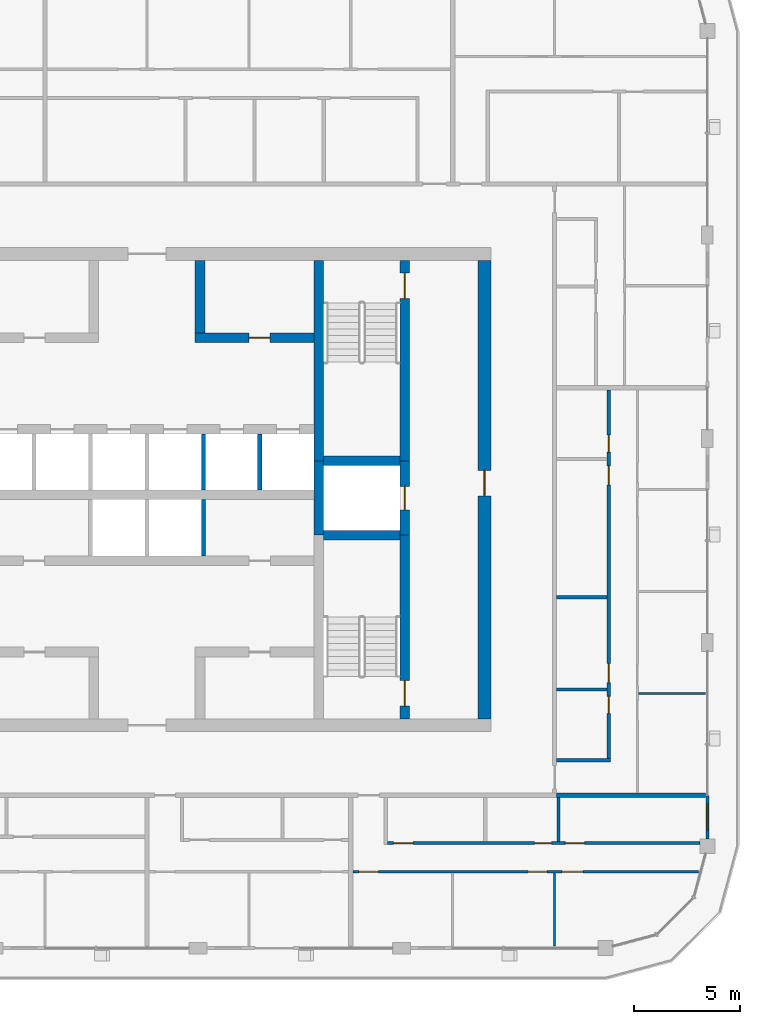
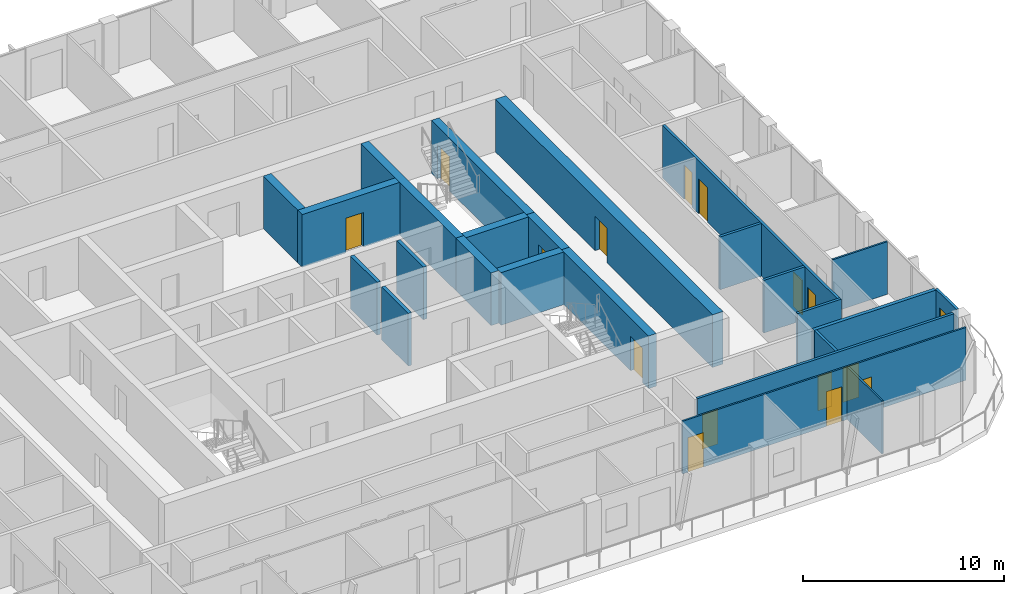
# One storey, part 12 of 21: 24 walls, 15 doors, 1 window, 16 openings.
"""IFC4 building model written with IfcOpenShell, lengths in metres."""

from ifc_helpers import new_model, si_unit, direction, frame, frame_2d, origin, place, context, subcontext, project, spatial, rectangle, extrude, material, layer, layer_set, type_object, element, fill, save


model = new_model("IFC4")

# Units and contexts
model_context = context("Model", 3, precision=1e-05, world=origin(), true_north=direction((0.0, 1.0)))
body_context = subcontext(model_context, "Body", "Model", "MODEL_VIEW")
ifc_project = project(units=[si_unit("LENGTHUNIT", "METRE"), si_unit("AREAUNIT", "SQUARE_METRE"), si_unit("VOLUMEUNIT", "CUBIC_METRE"), si_unit("PLANEANGLEUNIT", "RADIAN"), si_unit("MASSUNIT", "GRAM", prefix="KILO")], contexts=[model_context])

# Site, building, storey
site_placement = place(None, origin())
site = spatial("IfcSite", under=ifc_project, at=site_placement, CompositionType="ELEMENT")
building_placement = place(site_placement, origin())
building = spatial("IfcBuilding", under=site, at=building_placement, Name="Madar Terraces", CompositionType="ELEMENT")
storey_placement = place(building_placement, frame((0.0, 0.0, 242.199951171875)))
storey = spatial("IfcBuildingStorey", under=building, at=storey_placement, Name="L63", CompositionType="ELEMENT", Elevation=242.199951171875)

# Walls
ifc_material_1 = material(Name="Concrete C55/67", Category="concrete")
ifc_layer_1 = layer(ifc_material_1, 0.449951171875)
ifc_layer_set_1 = layer_set([ifc_layer_1], Name="Concrete C55/67 (CIW5 RC wall 450)")
wall_type_1 = type_object("IfcWallType", Name="CIW5 RC wall 450", PredefinedType="SHEAR", material=ifc_layer_set_1)
wall_1_placement = place(storey_placement, frame((39.300048828125, 24.25, 0.0), z_axis=(0.0, 0.0, 1.0), x_axis=(0.0, 1.0, 0.0)))
element("IfcWall", 1, at=wall_1_placement, inside=storey, type_object=wall_type_1, Name="CORE SHAFT WALL", PredefinedType="SHEAR", context=body_context, shape_type="SweptSolid", body=[
    extrude(rectangle(XDim=3.5, YDim=0.449951171875, at=frame_2d((1.75, 0.0))), origin(), (0.0, 0.0, 1.0), 3.199951171875),
])
wall_2_placement = place(storey_placement, frame((39.300048828125, 27.75, 0.0), z_axis=(0.0, 0.0, 1.0), x_axis=(0.0, 1.0, 0.0)))
element("IfcWall", 2, at=wall_2_placement, inside=storey, type_object=wall_type_1, Name="CORE SHAFT WALL", PredefinedType="SHEAR", context=body_context, shape_type="SweptSolid", body=[
    extrude(rectangle(XDim=9.449951171875, YDim=0.449951171875, at=frame_2d((4.72509765625, 0.0))), origin(), (0.0, 0.0, 1.0), 3.199951171875),
])

# Wall, opening, door
wall_3_placement = place(storey_placement, frame((43.35009765625, 15.60009765625, 0.0), z_axis=(0.0, 0.0, 1.0), x_axis=(0.0, 1.0, 0.0)))
wall_3 = element("IfcWall", 3, at=wall_3_placement, inside=storey, type_object=wall_type_1, Name="CORE SHAFT WALL", PredefinedType="SHEAR", context=body_context, shape_type="SweptSolid", body=[
    extrude(rectangle(XDim=8.64990234375, YDim=0.449951171875, at=frame_2d((4.324951171875, 0.0))), origin(), (0.0, 0.0, 1.0), 3.199951171875),
])
opening_1_placement = place(wall_3_placement, frame((0.60009765625, 0.0, 0.0)))
opening_1 = element("IfcOpeningElement", 4, at=opening_1_placement, cuts=wall_3, Name="Opening SD1", PredefinedType="OPENING", context=body_context, shape_type="SweptSolid", body=[
    extrude(rectangle(XDim=1.199951171875, YDim=2.10009765625, at=frame_2d((0.60009765625, 1.050048828125))), frame((0.0, 0.23486328125, 0.0), z_axis=(0.0, -1.0, 0.0), x_axis=(1.0, 0.0, 0.0)), (0.0, 0.0, 1.0), 0.469970703125),
])
ifc_material_2 = material(Name="Steel door leaf", Category="steel")
door_type_1 = type_object("IfcDoorType", Name="Stair door 1200 x 2100", OperationType="NOTDEFINED", PredefinedType="DOOR", material=ifc_material_2)
door_1_placement = place(opening_1_placement, origin())
door_1 = element("IfcDoor", 5, at=door_1_placement, inside=storey, type_object=door_type_1, Name="STAIR DOOR", OperationType="SINGLE_SWING_RIGHT", OverallHeight=2.10009765625, OverallWidth=1.199951171875, PredefinedType="DOOR", context=body_context, shape_type="SweptSolid", body=[
    extrude(rectangle(XDim=1.199951171875, YDim=2.10009765625, at=frame_2d((0.60009765625, 1.050048828125))), frame((0.0, 0.02490234375, 0.0), z_axis=(0.0, -1.0, 0.0), x_axis=(1.0, 0.0, 0.0)), (0.0, 0.0, 1.0), 0.050048828125),
])
fill(opening_1, door_1)

wall_4_placement = place(storey_placement, frame((43.35009765625, 24.25, 0.0), z_axis=(0.0, 0.0, 1.0), x_axis=(0.0, 1.0, 0.0)))
wall_4 = element("IfcWall", 6, at=wall_4_placement, inside=storey, type_object=wall_type_1, Name="CORE SHAFT WALL", PredefinedType="SHEAR", context=body_context, shape_type="SweptSolid", body=[
    extrude(rectangle(XDim=3.5, YDim=0.449951171875, at=frame_2d((1.75, 0.0))), origin(), (0.0, 0.0, 1.0), 3.199951171875),
])
opening_2_placement = place(wall_4_placement, frame((1.199951171875, 0.0, 0.0)))
opening_2 = element("IfcOpeningElement", 7, at=opening_2_placement, cuts=wall_4, Name="Opening LD", PredefinedType="OPENING", context=body_context, shape_type="SweptSolid", body=[
    extrude(rectangle(XDim=1.10009765625, YDim=2.10009765625, at=frame_2d((0.550048828125, 1.050048828125))), frame((0.0, 0.23486328125, 0.0), z_axis=(0.0, -1.0, 0.0), x_axis=(1.0, 0.0, 0.0)), (0.0, 0.0, 1.0), 0.469970703125),
])
ifc_material_3 = material(Name="Stainless steel panel", Category="steel")
door_type_2 = type_object("IfcDoorType", Name="Lift landing door 1100 x 2100", OperationType="DOUBLE_DOOR_SLIDING", PredefinedType="DOOR", material=ifc_material_3)
door_2_placement = place(opening_2_placement, origin())
door_2 = element("IfcDoor", 8, at=door_2_placement, inside=storey, type_object=door_type_2, Name="LIFT LANDING DOOR", OperationType="DOUBLE_DOOR_SLIDING", OverallHeight=2.10009765625, OverallWidth=1.10009765625, PredefinedType="DOOR", context=body_context, shape_type="SweptSolid", body=[
    extrude(rectangle(XDim=1.10009765625, YDim=2.10009765625, at=frame_2d((0.550048828125, 1.050048828125))), frame((0.0, 0.02490234375, 0.0), z_axis=(0.0, -1.0, 0.0), x_axis=(1.0, 0.0, 0.0)), (0.0, 0.0, 1.0), 0.050048828125),
])
fill(opening_2, door_2)

wall_5_placement = place(storey_placement, frame((43.35009765625, 27.75, 0.0), z_axis=(0.0, 0.0, 1.0), x_axis=(0.0, 1.0, 0.0)))
wall_5 = element("IfcWall", 9, at=wall_5_placement, inside=storey, type_object=wall_type_1, Name="CORE SHAFT WALL", PredefinedType="SHEAR", context=body_context, shape_type="SweptSolid", body=[
    extrude(rectangle(XDim=9.449951171875, YDim=0.449951171875, at=frame_2d((4.72509765625, 0.0))), origin(), (0.0, 0.0, 1.0), 3.199951171875),
])
opening_3_placement = place(wall_5_placement, frame((7.64990234375, 0.0, 0.0)))
opening_3 = element("IfcOpeningElement", 10, at=opening_3_placement, cuts=wall_5, Name="Opening SD1", PredefinedType="OPENING", context=body_context, shape_type="SweptSolid", body=[
    extrude(rectangle(XDim=1.199951171875, YDim=2.10009765625, at=frame_2d((0.60009765625, 1.050048828125))), frame((0.0, 0.23486328125, 0.0), z_axis=(0.0, -1.0, 0.0), x_axis=(1.0, 0.0, 0.0)), (0.0, 0.0, 1.0), 0.469970703125),
])
door_3_placement = place(opening_3_placement, origin())
door_3 = element("IfcDoor", 11, at=door_3_placement, inside=storey, type_object=door_type_1, Name="STAIR DOOR", OperationType="SINGLE_SWING_LEFT", OverallHeight=2.10009765625, OverallWidth=1.199951171875, PredefinedType="DOOR", context=body_context, shape_type="SweptSolid", body=[
    extrude(rectangle(XDim=1.199951171875, YDim=2.10009765625, at=frame_2d((0.60009765625, 1.050048828125))), frame((0.0, 0.02490234375, 0.0), z_axis=(0.0, -1.0, 0.0), x_axis=(1.0, 0.0, 0.0)), (0.0, 0.0, 1.0), 0.050048828125),
])
fill(opening_3, door_3)

# Walls
for number, where, z_axis, x_axis, name in (
    (12, (39.52490234375, 24.25, 0.0), (0.0, 0.0, 1.0), (1.0, 0.0, 0.0), "CORE SHAFT WALL"),
    (13, (39.52490234375, 27.75, 0.0), (0.0, 0.0, 1.0), (1.0, 0.0, 0.0), "CORE SHAFT WALL"),
):
    element("IfcWall", number, at=place(storey_placement, frame(where, z_axis=z_axis, x_axis=x_axis)), inside=storey, type_object=wall_type_1, Name=name, PredefinedType="SHEAR", context=body_context, shape_type="SweptSolid", body=[
        extrude(rectangle(XDim=3.60009765625, YDim=0.449951171875, at=frame_2d((1.800048828125, 0.0))), origin(), (0.0, 0.0, 1.0), 3.199951171875),
    ])

# Wall, opening, door
wall_6_placement = place(storey_placement, frame((33.47509765625, 33.550048828125, 0.0), z_axis=(0.0, 0.0, 1.0), x_axis=(1.0, 0.0, 0.0)))
wall_6 = element("IfcWall", 14, at=wall_6_placement, inside=storey, type_object=wall_type_1, Name="CORE SHAFT WALL", PredefinedType="SHEAR", context=body_context, shape_type="SweptSolid", body=[
    extrude(rectangle(XDim=5.599853515625, YDim=0.449951171875, at=frame_2d((2.7998046875, 0.0))), origin(), (0.0, 0.0, 1.0), 3.199951171875),
])
opening_4_placement = place(wall_6_placement, frame((2.52490234375, 0.0, 0.0)))
opening_4 = element("IfcOpeningElement", 15, at=opening_4_placement, cuts=wall_6, Name="Opening KD2", PredefinedType="OPENING", context=body_context, shape_type="SweptSolid", body=[
    extrude(rectangle(XDim=1.0, YDim=2.10009765625, at=frame_2d((0.5, 1.050048828125))), frame((0.0, 0.23486328125, 0.0), z_axis=(0.0, -1.0, 0.0), x_axis=(1.0, 0.0, 0.0)), (0.0, 0.0, 1.0), 0.469970703125),
])
ifc_material_4 = material(Name="Steel door leaf", Category="steel")
door_type_3 = type_object("IfcDoorType", Name="Service room door 1000 x 2100", OperationType="NOTDEFINED", PredefinedType="DOOR", material=ifc_material_4)
door_4_placement = place(opening_4_placement, frame((1.0, 0.0, 0.0), z_axis=(0.0, 0.0, 1.0), x_axis=(-1.0, 0.0, 0.0)))
door_4 = element("IfcDoor", 16, at=door_4_placement, inside=storey, type_object=door_type_3, Name="SERVICE ROOM DOOR", OperationType="SINGLE_SWING_LEFT", OverallHeight=2.10009765625, OverallWidth=1.0, PredefinedType="DOOR", context=body_context, shape_type="SweptSolid", body=[
    extrude(rectangle(XDim=1.0, YDim=2.10009765625, at=frame_2d((0.5, 1.050048828125))), frame((0.0, 0.02490234375, 0.0), z_axis=(0.0, -1.0, 0.0), x_axis=(1.0, 0.0, 0.0)), (0.0, 0.0, 1.0), 0.050048828125),
])
fill(opening_4, door_4)

# Wall
wall_7_placement = place(storey_placement, frame((33.699951171875, 33.77490234375, 0.0), z_axis=(0.0, 0.0, 1.0), x_axis=(0.0, 1.0, 0.0)))
element("IfcWall", 17, at=wall_7_placement, inside=storey, type_object=wall_type_1, Name="CORE SHAFT WALL", PredefinedType="SHEAR", context=body_context, shape_type="SweptSolid", body=[
    extrude(rectangle(XDim=3.425048828125, YDim=0.449951171875, at=frame_2d((1.71240234375, 0.0))), origin(), (0.0, 0.0, 1.0), 3.199951171875),
])

# Wall, opening, door
ifc_material_5 = material(Name="Concrete C55/67", Category="concrete")
ifc_layer_2 = layer(ifc_material_5, 0.60009765625)
ifc_layer_set_2 = layer_set([ifc_layer_2], Name="Concrete C55/67 (CRW5 RC wall 600)")
wall_type_2 = type_object("IfcWallType", Name="CRW5 RC wall 600", PredefinedType="SHEAR", material=ifc_layer_set_2)
wall_8_placement = place(storey_placement, frame((47.10009765625, 15.60009765625, 0.0), z_axis=(0.0, 0.0, 1.0), x_axis=(0.0, 1.0, 0.0)))
wall_8 = element("IfcWall", 18, at=wall_8_placement, inside=storey, type_object=wall_type_2, Name="CORE OUTER WALL", PredefinedType="SHEAR", context=body_context, shape_type="SweptSolid", body=[
    extrude(rectangle(XDim=21.599853515625, YDim=0.60009765625, at=frame_2d((10.7998046875, 0.0))), origin(), (0.0, 0.0, 1.0), 3.199951171875),
])
opening_5_placement = place(wall_8_placement, frame((10.5, 0.0, 0.0)))
opening_5 = element("IfcOpeningElement", 19, at=opening_5_placement, cuts=wall_8, Name="Opening SD1", PredefinedType="OPENING", context=body_context, shape_type="SweptSolid", body=[
    extrude(rectangle(XDim=1.199951171875, YDim=2.10009765625, at=frame_2d((0.60009765625, 1.050048828125))), frame((0.0, 0.31005859375, 0.0), z_axis=(0.0, -1.0, 0.0), x_axis=(1.0, 0.0, 0.0)), (0.0, 0.0, 1.0), 0.6201171875),
])
door_5_placement = place(opening_5_placement, origin())
door_5 = element("IfcDoor", 20, at=door_5_placement, inside=storey, type_object=door_type_1, Name="STAIR DOOR", OperationType="SINGLE_SWING_LEFT", OverallHeight=2.10009765625, OverallWidth=1.199951171875, PredefinedType="DOOR", context=body_context, shape_type="SweptSolid", body=[
    extrude(rectangle(XDim=1.199951171875, YDim=2.10009765625, at=frame_2d((0.60009765625, 1.050048828125))), frame((0.0, 0.02490234375, 0.0), z_axis=(0.0, -1.0, 0.0), x_axis=(1.0, 0.0, 0.0)), (0.0, 0.0, 1.0), 0.050048828125),
])
fill(opening_5, door_5)

# Walls
ifc_material_6 = material(Name="Concrete C40/50", Category="concrete")
ifc_layer_3 = layer(ifc_material_6, 0.199951171875)
ifc_layer_set_3 = layer_set([ifc_layer_3], Name="Core shaft dividing wall 200 C40/50")
wall_type_3 = type_object("IfcWallType", Name="Core shaft dividing wall 200 C40/50", PredefinedType="SOLIDWALL", material=ifc_layer_set_3)
wall_9_placement = place(storey_placement, frame((33.8583984375, 23.27490234375, 0.0), z_axis=(0.0, 0.0, 1.0), x_axis=(0.0, 1.0, 0.0)))
element("IfcWall", 21, at=wall_9_placement, inside=storey, type_object=wall_type_3, Name="SHAFT DIVIDING WALL", PredefinedType="SOLIDWALL", context=body_context, shape_type="SweptSolid", body=[
    extrude(rectangle(XDim=2.650146484375, YDim=0.199951171875, at=frame_2d((1.3251953125, 0.0))), origin(), (0.0, 0.0, 1.0), 3.199951171875),
])
for number, where, z_axis, x_axis, name in (
    (22, (33.8583984375, 26.375, 0.0), (0.0, 0.0, 1.0), (0.0, 1.0, 0.0), "SHAFT DIVIDING WALL"),
    (23, (36.5166015625, 26.375, 0.0), (0.0, 0.0, 1.0), (0.0, 1.0, 0.0), "SHAFT DIVIDING WALL"),
):
    element("IfcWall", number, at=place(storey_placement, frame(where, z_axis=z_axis, x_axis=x_axis)), inside=storey, type_object=wall_type_3, Name=name, PredefinedType="SOLIDWALL", context=body_context, shape_type="SweptSolid", body=[
        extrude(rectangle(XDim=2.64990234375, YDim=0.199951171875, at=frame_2d((1.324951171875, 0.0))), origin(), (0.0, 0.0, 1.0), 3.199951171875),
    ])

# Wall, opening, window
ifc_material_7 = material(Name="Aluminium composite panel, black, over insulated backing", Category="aluminium")
ifc_layer_4 = layer(ifc_material_7, 0.14990234375)
ifc_layer_set_4 = layer_set([ifc_layer_4], Name="Facade bay panel 150")
wall_type_4 = type_object("IfcWallType", Name="Facade bay panel 150", PredefinedType="SOLIDWALL", material=ifc_layer_set_4)
wall_10_placement = place(storey_placement, frame((57.60009765625, 9.949951171875, 0.0), z_axis=(0.0, 0.0, 1.0), x_axis=(0.0, 1.0, 0.0)))
wall_10 = element("IfcWall", 24, at=wall_10_placement, inside=storey, type_object=wall_type_4, Name="Facade bay panel", PredefinedType="SOLIDWALL", context=body_context, shape_type="SweptSolid", body=[
    extrude(rectangle(XDim=2.050048828125, YDim=0.14990234375, at=frame_2d((1.02490234375, 0.0))), origin(), (0.0, 0.0, 1.0), 3.199951171875),
])
opening_6_placement = place(wall_10_placement, frame((0.425048828125, 0.0, 0.89990234375)))
opening_6 = element("IfcOpeningElement", 25, at=opening_6_placement, cuts=wall_10, Name="Opening W1", PredefinedType="OPENING", context=body_context, shape_type="SweptSolid", body=[
    extrude(rectangle(XDim=1.199951171875, YDim=1.39990234375, at=frame_2d((0.60009765625, 0.699951171875))), frame((0.0, 0.0849609375, 0.0), z_axis=(0.0, -1.0, 0.0), x_axis=(1.0, 0.0, 0.0)), (0.0, 0.0, 1.0), 0.169921875),
])
ifc_material_8 = material(Name="Glass, clear, with black aluminium frame", Category="aluminium")
window_type = type_object("IfcWindowType", Name="Vent window 1200 x 1400", PartitioningType="SINGLE_PANEL", PredefinedType="WINDOW", material=ifc_material_8)
window_placement = place(opening_6_placement, origin())
window = element("IfcWindow", 26, at=window_placement, inside=storey, type_object=window_type, Name="Operable vent window", OverallHeight=1.39990234375, OverallWidth=1.199951171875, PartitioningType="SINGLE_PANEL", PredefinedType="WINDOW", context=body_context, shape_type="SweptSolid", body=[
    extrude(rectangle(XDim=1.199951171875, YDim=1.39990234375, at=frame_2d((0.60009765625, 0.699951171875))), frame((0.0, 0.030029296875, 0.0), z_axis=(0.0, -1.0, 0.0), x_axis=(1.0, 0.0, 0.0)), (0.0, 0.0, 1.0), 0.06005859375),
])
fill(opening_6, window)

# Wall
ifc_material_9 = material(Name="Gypsum board on steel studs", Category="steel")
ifc_layer_5 = layer(ifc_material_9, 0.10009765625)
ifc_layer_set_5 = layer_set([ifc_layer_5], Name="Flat partition 100")
wall_type_5 = type_object("IfcWallType", Name="Flat partition 100", PredefinedType="PARTITIONING", material=ifc_layer_set_5)
wall_11_placement = place(storey_placement, frame((50.39990234375, 8.35009765625, 0.0), z_axis=(0.0, 0.0, 1.0), x_axis=(0.0, -1.0, 0.0)))
element("IfcWall", 27, at=wall_11_placement, inside=storey, type_object=wall_type_5, Name="Flat partition 100", PredefinedType="PARTITIONING", context=body_context, shape_type="SweptSolid", body=[
    extrude(rectangle(XDim=3.4501953125, YDim=0.10009765625, at=frame_2d((1.72509765625, 0.0))), origin(), (0.0, 0.0, 1.0), 3.199951171875),
])

# Wall, openings, doors
wall_12_placement = place(storey_placement, frame((57.178466796875, 8.39990234375, 0.0), z_axis=(0.0, 0.0, 1.0), x_axis=(-1.0, 0.0, 0.0)))
wall_12 = element("IfcWall", 28, at=wall_12_placement, inside=storey, type_object=wall_type_5, Name="Flat partition 100", PredefinedType="PARTITIONING", context=body_context, shape_type="SweptSolid", body=[
    extrude(rectangle(XDim=16.278564453125, YDim=0.10009765625, at=frame_2d((8.13916015625, 0.0))), origin(), (0.0, 0.0, 1.0), 3.199951171875),
])
opening_7_placement = place(wall_12_placement, frame((15.07861328125, 0.0, 0.0)))
opening_7 = element("IfcOpeningElement", 29, at=opening_7_placement, cuts=wall_12, Name="Opening D2", PredefinedType="OPENING", context=body_context, shape_type="SweptSolid", body=[
    extrude(rectangle(XDim=0.89990234375, YDim=2.10009765625, at=frame_2d((0.449951171875, 1.050048828125))), frame((0.0, 0.06005859375, 0.0), z_axis=(0.0, -1.0, 0.0), x_axis=(1.0, 0.0, 0.0)), (0.0, 0.0, 1.0), 0.1201171875),
])
opening_8_placement = place(wall_12_placement, frame((7.12841796875, 0.0, 0.0)))
opening_8 = element("IfcOpeningElement", 30, at=opening_8_placement, cuts=wall_12, Name="Opening D2", PredefinedType="OPENING", context=body_context, shape_type="SweptSolid", body=[
    extrude(rectangle(XDim=0.89990234375, YDim=2.10009765625, at=frame_2d((0.449951171875, 1.050048828125))), frame((0.0, 0.06005859375, 0.0), z_axis=(0.0, -1.0, 0.0), x_axis=(1.0, 0.0, 0.0)), (0.0, 0.0, 1.0), 0.1201171875),
])
opening_9_placement = place(wall_12_placement, frame((5.428466796875, 0.0, 0.0)))
opening_9 = element("IfcOpeningElement", 31, at=opening_9_placement, cuts=wall_12, Name="Opening D3", PredefinedType="OPENING", context=body_context, shape_type="SweptSolid", body=[
    extrude(rectangle(XDim=1.0, YDim=2.10009765625, at=frame_2d((0.5, 1.050048828125))), frame((0.0, 0.06005859375, 0.0), z_axis=(0.0, -1.0, 0.0), x_axis=(1.0, 0.0, 0.0)), (0.0, 0.0, 1.0), 0.1201171875),
])
ifc_material_10 = material(Name="Timber door leaf", Category="wood")
door_type_4 = type_object("IfcDoorType", Name="Flat living room door 1000", OperationType="NOTDEFINED", PredefinedType="DOOR", material=ifc_material_10)
door_6_placement = place(opening_9_placement, origin())
door_6 = element("IfcDoor", 32, at=door_6_placement, inside=storey, type_object=door_type_4, Name="Flat living room door 1000", OperationType="SINGLE_SWING_RIGHT", OverallHeight=2.10009765625, OverallWidth=1.0, PredefinedType="DOOR", context=body_context, shape_type="SweptSolid", body=[
    extrude(rectangle(XDim=1.0, YDim=2.10009765625, at=frame_2d((0.5, 1.050048828125))), frame((0.0, 0.02490234375, 0.0), z_axis=(0.0, -1.0, 0.0), x_axis=(1.0, 0.0, 0.0)), (0.0, 0.0, 1.0), 0.050048828125),
])
fill(opening_9, door_6)
ifc_material_11 = material(Name="Timber door leaf", Category="wood")
door_type_5 = type_object("IfcDoorType", Name="Flat room door 900", OperationType="NOTDEFINED", PredefinedType="DOOR", material=ifc_material_11)
door_7_placement = place(opening_7_placement, origin())
door_7 = element("IfcDoor", 33, at=door_7_placement, inside=storey, type_object=door_type_5, Name="Flat room door 900", OperationType="SINGLE_SWING_RIGHT", OverallHeight=2.10009765625, OverallWidth=0.89990234375, PredefinedType="DOOR", context=body_context, shape_type="SweptSolid", body=[
    extrude(rectangle(XDim=0.89990234375, YDim=2.10009765625, at=frame_2d((0.449951171875, 1.050048828125))), frame((0.0, 0.02490234375, 0.0), z_axis=(0.0, -1.0, 0.0), x_axis=(1.0, 0.0, 0.0)), (0.0, 0.0, 1.0), 0.050048828125),
])
fill(opening_7, door_7)
door_8_placement = place(opening_8_placement, origin())
door_8 = element("IfcDoor", 34, at=door_8_placement, inside=storey, type_object=door_type_5, Name="Flat room door 900", OperationType="SINGLE_SWING_LEFT", OverallHeight=2.10009765625, OverallWidth=0.89990234375, PredefinedType="DOOR", context=body_context, shape_type="SweptSolid", body=[
    extrude(rectangle(XDim=0.89990234375, YDim=2.10009765625, at=frame_2d((0.449951171875, 1.050048828125))), frame((0.0, 0.02490234375, 0.0), z_axis=(0.0, -1.0, 0.0), x_axis=(1.0, 0.0, 0.0)), (0.0, 0.0, 1.0), 0.050048828125),
])
fill(opening_8, door_8)

# Walls
wall_13_placement = place(storey_placement, frame((54.35009765625, 16.800048828125, 0.0), z_axis=(0.0, 0.0, 1.0), x_axis=(1.0, 0.0, 0.0)))
element("IfcWall", 35, at=wall_13_placement, inside=storey, type_object=wall_type_5, Name="Flat partition 100", PredefinedType="PARTITIONING", context=body_context, shape_type="SweptSolid", body=[
    extrude(rectangle(XDim=3.14990234375, YDim=0.10009765625, at=frame_2d((1.574951171875, 0.0))), origin(), (0.0, 0.0, 1.0), 3.199951171875),
])
ifc_material_12 = material(Name="Lightweight blockwork", Category="masonry")
ifc_layer_6 = layer(ifc_material_12, 0.199951171875)
ifc_layer_set_6 = layer_set([ifc_layer_6], Name="Flat party and entrance wall 200")
wall_type_6 = type_object("IfcWallType", Name="Flat party and entrance wall 200", PredefinedType="PARTITIONING", material=ifc_layer_set_6)
wall_14_placement = place(storey_placement, frame((50.5, 12.0, 0.0), z_axis=(0.0, 0.0, 1.0), x_axis=(1.0, 0.0, 0.0)))
element("IfcWall", 36, at=wall_14_placement, inside=storey, type_object=wall_type_6, Name="Flat party and entrance wall 200", PredefinedType="PARTITIONING", context=body_context, shape_type="SweptSolid", body=[
    extrude(rectangle(XDim=7.0, YDim=0.199951171875, at=frame_2d((3.5, 0.0))), origin(), (0.0, 0.0, 1.0), 3.199951171875),
])
ifc_material_13 = material(Name="Lightweight blockwork", Category="masonry")
ifc_layer_7 = layer(ifc_material_13, 0.14990234375)
ifc_layer_set_7 = layer_set([ifc_layer_7], Name="Flat wet-room partition 150")
wall_type_7 = type_object("IfcWallType", Name="Flat wet-room partition 150", PredefinedType="PARTITIONING", material=ifc_layer_set_7)
wall_15_placement = place(storey_placement, frame((50.58837890625, 11.89990234375, 0.0), z_axis=(0.0, 0.0, 1.0), x_axis=(0.0, -1.0, 0.0)))
element("IfcWall", 37, at=wall_15_placement, inside=storey, type_object=wall_type_7, Name="Flat wet-room partition 150", PredefinedType="PARTITIONING", context=body_context, shape_type="SweptSolid", body=[
    extrude(rectangle(XDim=2.074951171875, YDim=0.14990234375, at=frame_2d((1.03759765625, 0.0))), origin(), (0.0, 0.0, 1.0), 3.199951171875),
])

# Wall, openings, doors
wall_16_placement = place(storey_placement, frame((42.52490234375, 9.75, 0.0), z_axis=(0.0, 0.0, 1.0), x_axis=(1.0, 0.0, 0.0)))
wall_16 = element("IfcWall", 38, at=wall_16_placement, inside=storey, type_object=wall_type_7, Name="Flat wet-room partition 150", PredefinedType="PARTITIONING", context=body_context, shape_type="SweptSolid", body=[
    extrude(rectangle(XDim=14.72509765625, YDim=0.14990234375, at=frame_2d((7.362548828125, 0.0))), origin(), (0.0, 0.0, 1.0), 3.199951171875),
])
opening_10_placement = place(wall_16_placement, frame((0.300048828125, 0.0, 0.0)))
opening_10 = element("IfcOpeningElement", 39, at=opening_10_placement, cuts=wall_16, Name="Opening D5", PredefinedType="OPENING", context=body_context, shape_type="SweptSolid", body=[
    extrude(rectangle(XDim=0.89990234375, YDim=2.10009765625, at=frame_2d((0.449951171875, 1.050048828125))), frame((0.0, 0.0849609375, 0.0), z_axis=(0.0, -1.0, 0.0), x_axis=(1.0, 0.0, 0.0)), (0.0, 0.0, 1.0), 0.169921875),
])
opening_11_placement = place(wall_16_placement, frame((6.9384765625, 0.0, 0.0)))
opening_11 = element("IfcOpeningElement", 40, at=opening_11_placement, cuts=wall_16, Name="Opening D4", PredefinedType="OPENING", context=body_context, shape_type="SweptSolid", body=[
    extrude(rectangle(XDim=0.800048828125, YDim=2.10009765625, at=frame_2d((0.39990234375, 1.050048828125))), frame((0.0, 0.0849609375, 0.0), z_axis=(0.0, -1.0, 0.0), x_axis=(1.0, 0.0, 0.0)), (0.0, 0.0, 1.0), 0.169921875),
])
opening_12_placement = place(wall_16_placement, frame((8.388427734375, 0.0, 0.0)))
opening_12 = element("IfcOpeningElement", 41, at=opening_12_placement, cuts=wall_16, Name="Opening D2", PredefinedType="OPENING", context=body_context, shape_type="SweptSolid", body=[
    extrude(rectangle(XDim=0.89990234375, YDim=2.10009765625, at=frame_2d((0.449951171875, 1.050048828125))), frame((0.0, 0.0849609375, 0.0), z_axis=(0.0, -1.0, 0.0), x_axis=(1.0, 0.0, 0.0)), (0.0, 0.0, 1.0), 0.169921875),
])
ifc_material_14 = material(Name="Timber door leaf", Category="wood")
door_type_6 = type_object("IfcDoorType", Name="Flat accessible bathroom door 900", OperationType="NOTDEFINED", PredefinedType="DOOR", material=ifc_material_14)
door_9_placement = place(opening_10_placement, origin())
door_9 = element("IfcDoor", 42, at=door_9_placement, inside=storey, type_object=door_type_6, Name="Flat accessible bathroom door 900", OperationType="SINGLE_SWING_LEFT", OverallHeight=2.10009765625, OverallWidth=0.89990234375, PredefinedType="DOOR", context=body_context, shape_type="SweptSolid", body=[
    extrude(rectangle(XDim=0.89990234375, YDim=2.10009765625, at=frame_2d((0.449951171875, 1.050048828125))), frame((0.0, 0.02490234375, 0.0), z_axis=(0.0, -1.0, 0.0), x_axis=(1.0, 0.0, 0.0)), (0.0, 0.0, 1.0), 0.050048828125),
])
fill(opening_10, door_9)
ifc_material_15 = material(Name="Timber door leaf", Category="wood")
door_type_7 = type_object("IfcDoorType", Name="Flat bathroom door 800", OperationType="NOTDEFINED", PredefinedType="DOOR", material=ifc_material_15)
door_10_placement = place(opening_11_placement, origin())
door_10 = element("IfcDoor", 43, at=door_10_placement, inside=storey, type_object=door_type_7, Name="Flat bathroom door 800", OperationType="SINGLE_SWING_RIGHT", OverallHeight=2.10009765625, OverallWidth=0.800048828125, PredefinedType="DOOR", context=body_context, shape_type="SweptSolid", body=[
    extrude(rectangle(XDim=0.800048828125, YDim=2.10009765625, at=frame_2d((0.39990234375, 1.050048828125))), frame((0.0, 0.02490234375, 0.0), z_axis=(0.0, -1.0, 0.0), x_axis=(1.0, 0.0, 0.0)), (0.0, 0.0, 1.0), 0.050048828125),
])
fill(opening_11, door_10)
door_11_placement = place(opening_12_placement, origin())
door_11 = element("IfcDoor", 44, at=door_11_placement, inside=storey, type_object=door_type_5, Name="Flat room door 900", OperationType="SINGLE_SWING_LEFT", OverallHeight=2.10009765625, OverallWidth=0.89990234375, PredefinedType="DOOR", context=body_context, shape_type="SweptSolid", body=[
    extrude(rectangle(XDim=0.89990234375, YDim=2.10009765625, at=frame_2d((0.449951171875, 1.050048828125))), frame((0.0, 0.02490234375, 0.0), z_axis=(0.0, -1.0, 0.0), x_axis=(1.0, 0.0, 0.0)), (0.0, 0.0, 1.0), 0.050048828125),
])
fill(opening_12, door_11)

# Walls
for number, where, z_axis, x_axis, name in (
    (45, (50.5, 16.98291015625, 0.0), (0.0, 0.0, 1.0), (1.0, 0.0, 0.0), "Flat wet-room partition 150"),
    (46, (50.5, 21.32666015625, 0.0), (0.0, 0.0, 1.0), (1.0, 0.0, 0.0), "Flat wet-room partition 150"),
):
    element("IfcWall", number, at=place(storey_placement, frame(where, z_axis=z_axis, x_axis=x_axis)), inside=storey, type_object=wall_type_7, Name=name, PredefinedType="PARTITIONING", context=body_context, shape_type="SweptSolid", body=[
        extrude(rectangle(XDim=2.375, YDim=0.14990234375, at=frame_2d((1.1875, 0.0))), origin(), (0.0, 0.0, 1.0), 3.199951171875),
    ])
wall_17_placement = place(storey_placement, frame((50.5, 13.64990234375, 0.0), z_axis=(0.0, 0.0, 1.0), x_axis=(1.0, 0.0, 0.0)))
element("IfcWall", 47, at=wall_17_placement, inside=storey, type_object=wall_type_7, Name="Flat wet-room partition 150", PredefinedType="PARTITIONING", context=body_context, shape_type="SweptSolid", body=[
    extrude(rectangle(XDim=2.52490234375, YDim=0.14990234375, at=frame_2d((1.262451171875, 0.0))), origin(), (0.0, 0.0, 1.0), 3.199951171875),
])

# Wall, openings, doors
wall_18_placement = place(storey_placement, frame((52.949951171875, 13.72509765625, 0.0), z_axis=(0.0, 0.0, 1.0), x_axis=(0.0, 1.0, 0.0)))
wall_18 = element("IfcWall", 48, at=wall_18_placement, inside=storey, type_object=wall_type_7, Name="Flat wet-room partition 150", PredefinedType="PARTITIONING", context=body_context, shape_type="SweptSolid", body=[
    extrude(rectangle(XDim=17.375, YDim=0.14990234375, at=frame_2d((8.6875, 0.0))), origin(), (0.0, 0.0, 1.0), 3.199951171875),
])
opening_13_placement = place(wall_18_placement, frame((2.1328125, 0.0, 0.0)))
opening_13 = element("IfcOpeningElement", 49, at=opening_13_placement, cuts=wall_18, Name="Opening D4", PredefinedType="OPENING", context=body_context, shape_type="SweptSolid", body=[
    extrude(rectangle(XDim=0.800048828125, YDim=2.10009765625, at=frame_2d((0.39990234375, 1.050048828125))), frame((0.0, 0.0849609375, 0.0), z_axis=(0.0, -1.0, 0.0), x_axis=(1.0, 0.0, 0.0)), (0.0, 0.0, 1.0), 0.169921875),
])
opening_14_placement = place(wall_18_placement, frame((3.582763671875, 0.0, 0.0)))
opening_14 = element("IfcOpeningElement", 50, at=opening_14_placement, cuts=wall_18, Name="Opening D5", PredefinedType="OPENING", context=body_context, shape_type="SweptSolid", body=[
    extrude(rectangle(XDim=0.89990234375, YDim=2.10009765625, at=frame_2d((0.449951171875, 1.050048828125))), frame((0.0, 0.0849609375, 0.0), z_axis=(0.0, -1.0, 0.0), x_axis=(1.0, 0.0, 0.0)), (0.0, 0.0, 1.0), 0.169921875),
])
opening_15_placement = place(wall_18_placement, frame((12.89208984375, 0.0, 0.0)))
opening_15 = element("IfcOpeningElement", 51, at=opening_15_placement, cuts=wall_18, Name="Opening D2", PredefinedType="OPENING", context=body_context, shape_type="SweptSolid", body=[
    extrude(rectangle(XDim=0.89990234375, YDim=2.10009765625, at=frame_2d((0.449951171875, 1.050048828125))), frame((0.0, 0.0849609375, 0.0), z_axis=(0.0, -1.0, 0.0), x_axis=(1.0, 0.0, 0.0)), (0.0, 0.0, 1.0), 0.169921875),
])
opening_16_placement = place(wall_18_placement, frame((14.442138671875, 0.0, 0.0)))
opening_16 = element("IfcOpeningElement", 52, at=opening_16_placement, cuts=wall_18, Name="Opening D7", PredefinedType="OPENING", context=body_context, shape_type="SweptSolid", body=[
    extrude(rectangle(XDim=0.800048828125, YDim=2.10009765625, at=frame_2d((0.39990234375, 1.050048828125))), frame((0.0, 0.0849609375, 0.0), z_axis=(0.0, -1.0, 0.0), x_axis=(1.0, 0.0, 0.0)), (0.0, 0.0, 1.0), 0.169921875),
])
door_12_placement = place(opening_14_placement, origin())
door_12 = element("IfcDoor", 53, at=door_12_placement, inside=storey, type_object=door_type_6, Name="Flat accessible bathroom door 900", OperationType="SINGLE_SWING_LEFT", OverallHeight=2.10009765625, OverallWidth=0.89990234375, PredefinedType="DOOR", context=body_context, shape_type="SweptSolid", body=[
    extrude(rectangle(XDim=0.89990234375, YDim=2.10009765625, at=frame_2d((0.449951171875, 1.050048828125))), frame((0.0, 0.02490234375, 0.0), z_axis=(0.0, -1.0, 0.0), x_axis=(1.0, 0.0, 0.0)), (0.0, 0.0, 1.0), 0.050048828125),
])
fill(opening_14, door_12)
door_13_placement = place(opening_13_placement, origin())
door_13 = element("IfcDoor", 54, at=door_13_placement, inside=storey, type_object=door_type_7, Name="Flat bathroom door 800", OperationType="SINGLE_SWING_RIGHT", OverallHeight=2.10009765625, OverallWidth=0.800048828125, PredefinedType="DOOR", context=body_context, shape_type="SweptSolid", body=[
    extrude(rectangle(XDim=0.800048828125, YDim=2.10009765625, at=frame_2d((0.39990234375, 1.050048828125))), frame((0.0, 0.02490234375, 0.0), z_axis=(0.0, -1.0, 0.0), x_axis=(1.0, 0.0, 0.0)), (0.0, 0.0, 1.0), 0.050048828125),
])
fill(opening_13, door_13)
door_14_placement = place(opening_15_placement, origin())
door_14 = element("IfcDoor", 55, at=door_14_placement, inside=storey, type_object=door_type_5, Name="Flat room door 900", OperationType="SINGLE_SWING_RIGHT", OverallHeight=2.10009765625, OverallWidth=0.89990234375, PredefinedType="DOOR", context=body_context, shape_type="SweptSolid", body=[
    extrude(rectangle(XDim=0.89990234375, YDim=2.10009765625, at=frame_2d((0.449951171875, 1.050048828125))), frame((0.0, 0.02490234375, 0.0), z_axis=(0.0, -1.0, 0.0), x_axis=(1.0, 0.0, 0.0)), (0.0, 0.0, 1.0), 0.050048828125),
])
fill(opening_15, door_14)
ifc_material_16 = material(Name="Timber door leaf", Category="wood")
door_type_8 = type_object("IfcDoorType", Name="Flat utility door 800", OperationType="NOTDEFINED", PredefinedType="DOOR", material=ifc_material_16)
door_15_placement = place(opening_16_placement, origin())
door_15 = element("IfcDoor", 56, at=door_15_placement, inside=storey, type_object=door_type_8, Name="Flat utility door 800", OperationType="SINGLE_SWING_LEFT", OverallHeight=2.10009765625, OverallWidth=0.800048828125, PredefinedType="DOOR", context=body_context, shape_type="SweptSolid", body=[
    extrude(rectangle(XDim=0.800048828125, YDim=2.10009765625, at=frame_2d((0.39990234375, 1.050048828125))), frame((0.0, 0.02490234375, 0.0), z_axis=(0.0, -1.0, 0.0), x_axis=(1.0, 0.0, 0.0)), (0.0, 0.0, 1.0), 0.050048828125),
])
fill(opening_16, door_15)

save(model, "model.ifc")
